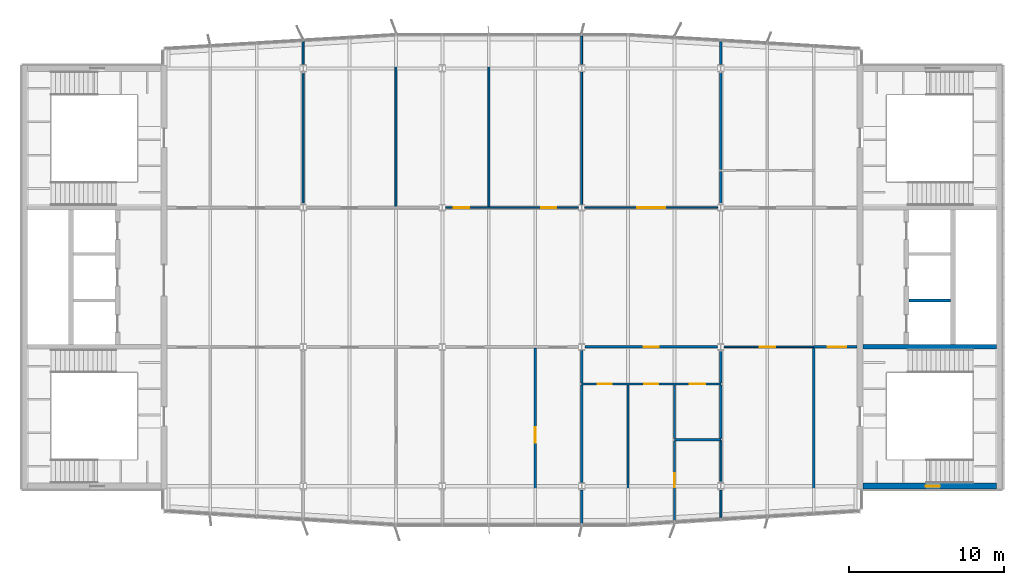
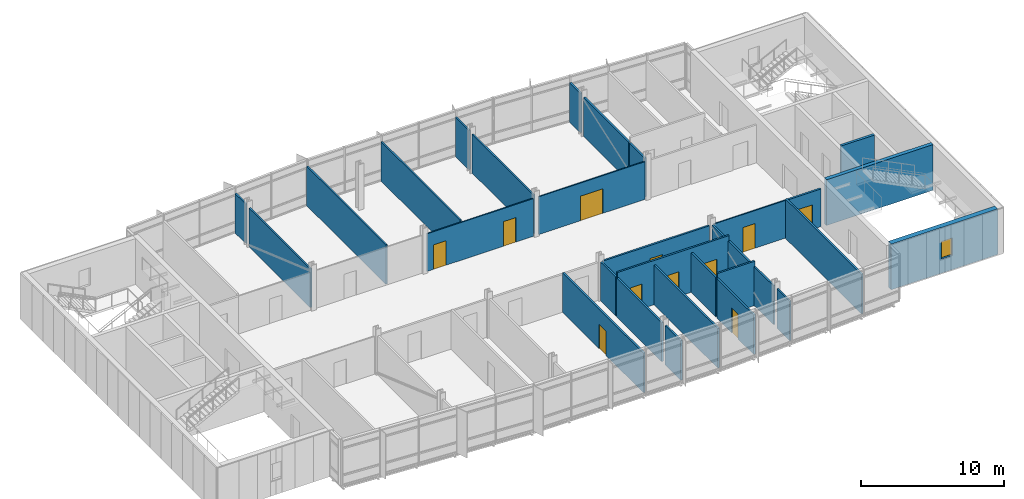
# One storey, part 12 of 17: 31 walls, 11 doors, 1 window, 12 openings.
"""IFC4 building model written with IfcOpenShell, lengths in metres."""

from ifc_helpers import new_model, si_unit, direction, frame, frame_2d, origin, place, context, subcontext, project, spatial, rectangle, extrude, material, layer, layer_set, type_object, element, fill, save


model = new_model("IFC4")

# Units and contexts
model_context = context("Model", 3, precision=1e-05, world=origin(), true_north=direction((0.0, 1.0)))
body_context = subcontext(model_context, "Body", "Model", "MODEL_VIEW")
ifc_project = project(units=[si_unit("LENGTHUNIT", "METRE"), si_unit("AREAUNIT", "SQUARE_METRE"), si_unit("VOLUMEUNIT", "CUBIC_METRE"), si_unit("PLANEANGLEUNIT", "RADIAN"), si_unit("MASSUNIT", "GRAM", prefix="KILO")], contexts=[model_context])

# Site, building, storey
site_placement = place(None, origin())
site = spatial("IfcSite", under=ifc_project, at=site_placement, CompositionType="ELEMENT")
building_placement = place(site_placement, origin())
building = spatial("IfcBuilding", under=site, at=building_placement, Name="Azimuth Sports and Learning Centre", CompositionType="ELEMENT")
storey_placement = place(building_placement, frame((0.0, 0.0, 36.300048828125)))
storey = spatial("IfcBuildingStorey", under=building, at=storey_placement, Name="L07", CompositionType="ELEMENT", Elevation=36.300048828125)

# Wall
ifc_material_1 = material(Name="Dense masonry blockwork", Category="masonry")
ifc_layer_1 = layer(ifc_material_1, 0.199951171875)
ifc_layer_set_1 = layer_set([ifc_layer_1], Name="Dense masonry blockwork")
wall_type_1 = type_object("IfcWallType", Name="Blockwork wall 200 EI 120", PredefinedType="SOLIDWALL", material=ifc_layer_set_1)
wall_1_placement = place(storey_placement, frame((111.14990234375, 102.0, 0.0), z_axis=(0.0, 0.0, 1.0), x_axis=(1.0, 0.0, 0.0)))
element("IfcWall", 1, at=wall_1_placement, inside=storey, type_object=wall_type_1, Name="SD-E-1-L07", PredefinedType="SOLIDWALL", context=body_context, shape_type="SweptSolid", body=[
    extrude(rectangle(XDim=2.7001953125, YDim=0.199951171875, at=frame_2d((1.35009765625, 0.0))), origin(), (0.0, 0.0, 1.0), 3.89990234375),
])

# Wall, opening, door
ifc_material_2 = material(Name="Gypsum board on steel studs", Category="steel")
ifc_layer_2 = layer(ifc_material_2, 0.10009765625)
ifc_layer_set_2 = layer_set([ifc_layer_2], Name="Gypsum board on steel studs")
wall_type_2 = type_object("IfcWallType", Name="Partition 100 EI 30", PredefinedType="PARTITIONING", material=ifc_layer_set_2)
wall_2_placement = place(storey_placement, frame((99.2060546875, 99.0, 0.0), z_axis=(0.0, 0.0, 1.0), x_axis=(1.0, 0.0, 0.0)))
wall_2 = element("IfcWall", 2, at=wall_2_placement, inside=storey, type_object=wall_type_2, Name="Partition Classroom 07.17 / Learning Street", PredefinedType="PARTITIONING", context=body_context, shape_type="SweptSolid", body=[
    extrude(rectangle(XDim=5.7939453125, YDim=0.10009765625, at=frame_2d((2.89697265625, 0.0))), origin(), (0.0, 0.0, 1.0), 3.219970703125),
])
opening_1_placement = place(wall_2_placement, frame((2.2939453125, 0.0, 0.0)))
opening_1 = element("IfcOpeningElement", 3, at=opening_1_placement, cuts=wall_2, Name="Opening D07-021", PredefinedType="OPENING", context=body_context, shape_type="SweptSolid", body=[
    extrude(rectangle(XDim=1.0, YDim=2.10009765625, at=frame_2d((0.5, 1.050048828125))), frame((0.0, 0.06103515625, 0.0), z_axis=(0.0, -1.0, 0.0), x_axis=(1.0, 0.0, 0.0)), (0.0, 0.0, 1.0), 0.1220703125),
])
ifc_material_3 = material(Name="Painted steel door set", Category="steel")
door_type_1 = type_object("IfcDoorType", Name="Fire door FD30S 1000 x 2100", OperationType="NOTDEFINED", PredefinedType="DOOR", material=ifc_material_3)
door_1_placement = place(opening_1_placement, frame((1.0, 0.0, 0.0), z_axis=(0.0, 0.0, 1.0), x_axis=(-1.0, 0.0, 0.0)))
door_1 = element("IfcDoor", 4, at=door_1_placement, inside=storey, type_object=door_type_1, Name="Door Classroom 07.17 / Learning Street", OperationType="SINGLE_SWING_RIGHT", OverallHeight=2.10009765625, OverallWidth=1.0, PredefinedType="DOOR", context=body_context, shape_type="SweptSolid", body=[
    extrude(rectangle(XDim=1.0, YDim=2.10009765625, at=frame_2d((0.5, 1.050048828125))), frame((0.0, 0.02490234375, 0.0), z_axis=(0.0, -1.0, 0.0), x_axis=(1.0, 0.0, 0.0)), (0.0, 0.0, 1.0), 0.050048828125),
])
fill(opening_1, door_1)

# Wall, openings, doors
wall_3_placement = place(storey_placement, frame((81.2060546875, 108.0, 0.0), z_axis=(0.0, 0.0, 1.0), x_axis=(1.0, 0.0, 0.0)))
wall_3 = element("IfcWall", 5, at=wall_3_placement, inside=storey, type_object=wall_type_2, Name="Partition Classroom 07.18 / Classroom 07.19", PredefinedType="PARTITIONING", context=body_context, shape_type="SweptSolid", body=[
    extrude(rectangle(XDim=8.587890625, YDim=0.10009765625, at=frame_2d((4.2939453125, 0.0))), origin(), (0.0, 0.0, 1.0), 3.219970703125),
])
opening_2_placement = place(wall_3_placement, frame((0.5439453125, 0.0, 0.0)))
opening_2 = element("IfcOpeningElement", 6, at=opening_2_placement, cuts=wall_3, Name="Opening D07-024", PredefinedType="OPENING", context=body_context, shape_type="SweptSolid", body=[
    extrude(rectangle(XDim=1.0, YDim=2.10009765625, at=frame_2d((0.5, 1.050048828125))), frame((0.0, 0.06103515625, 0.0), z_axis=(0.0, -1.0, 0.0), x_axis=(1.0, 0.0, 0.0)), (0.0, 0.0, 1.0), 0.1220703125),
])
opening_3_placement = place(wall_3_placement, frame((6.1689453125, 0.0, 0.0)))
opening_3 = element("IfcOpeningElement", 7, at=opening_3_placement, cuts=wall_3, Name="Opening D07-025", PredefinedType="OPENING", context=body_context, shape_type="SweptSolid", body=[
    extrude(rectangle(XDim=1.0, YDim=2.10009765625, at=frame_2d((0.5, 1.050048828125))), frame((0.0, 0.06103515625, 0.0), z_axis=(0.0, -1.0, 0.0), x_axis=(1.0, 0.0, 0.0)), (0.0, 0.0, 1.0), 0.1220703125),
])
door_2_placement = place(opening_2_placement, origin())
door_2 = element("IfcDoor", 8, at=door_2_placement, inside=storey, type_object=door_type_1, Name="Door Classroom 07.20 / Learning Street", OperationType="SINGLE_SWING_LEFT", OverallHeight=2.10009765625, OverallWidth=1.0, PredefinedType="DOOR", context=body_context, shape_type="SweptSolid", body=[
    extrude(rectangle(XDim=1.0, YDim=2.10009765625, at=frame_2d((0.5, 1.050048828125))), frame((0.0, 0.02490234375, 0.0), z_axis=(0.0, -1.0, 0.0), x_axis=(1.0, 0.0, 0.0)), (0.0, 0.0, 1.0), 0.050048828125),
])
fill(opening_2, door_2)
door_3_placement = place(opening_3_placement, origin())
door_3 = element("IfcDoor", 9, at=door_3_placement, inside=storey, type_object=door_type_1, Name="Door Classroom 07.21 / Learning Street", OperationType="SINGLE_SWING_RIGHT", OverallHeight=2.10009765625, OverallWidth=1.0, PredefinedType="DOOR", context=body_context, shape_type="SweptSolid", body=[
    extrude(rectangle(XDim=1.0, YDim=2.10009765625, at=frame_2d((0.5, 1.050048828125))), frame((0.0, 0.02490234375, 0.0), z_axis=(0.0, -1.0, 0.0), x_axis=(1.0, 0.0, 0.0)), (0.0, 0.0, 1.0), 0.050048828125),
])
fill(opening_3, door_3)

# Wall, opening, door
wall_4_placement = place(storey_placement, frame((90.2060546875, 108.0, 0.0), z_axis=(0.0, 0.0, 1.0), x_axis=(1.0, 0.0, 0.0)))
wall_4 = element("IfcWall", 10, at=wall_4_placement, inside=storey, type_object=wall_type_2, Name="Partition Classroom 07.18 / Classroom 07.19", PredefinedType="PARTITIONING", context=body_context, shape_type="SweptSolid", body=[
    extrude(rectangle(XDim=8.587890625, YDim=0.10009765625, at=frame_2d((4.2939453125, 0.0))), origin(), (0.0, 0.0, 1.0), 3.219970703125),
])
opening_4_placement = place(wall_4_placement, frame((3.39404296875, 0.0, 0.0)))
opening_4 = element("IfcOpeningElement", 11, at=opening_4_placement, cuts=wall_4, Name="Opening D07-026", PredefinedType="OPENING", context=body_context, shape_type="SweptSolid", body=[
    extrude(rectangle(XDim=1.800048828125, YDim=2.10009765625, at=frame_2d((0.89990234375, 1.050048828125))), frame((0.0, 0.06103515625, 0.0), z_axis=(0.0, -1.0, 0.0), x_axis=(1.0, 0.0, 0.0)), (0.0, 0.0, 1.0), 0.1220703125),
])
ifc_material_4 = material(Name="Painted steel door set", Category="steel")
door_type_2 = type_object("IfcDoorType", Name="Fire door FD30S 1800 x 2100 double leaf", OperationType="DOUBLE_DOOR_SINGLE_SWING", PredefinedType="DOOR", material=ifc_material_4)
door_4_placement = place(opening_4_placement, origin())
door_4 = element("IfcDoor", 12, at=door_4_placement, inside=storey, type_object=door_type_2, Name="Door Seminar Room 07.22 / Learning Street", OperationType="DOUBLE_DOOR_SINGLE_SWING", OverallHeight=2.10009765625, OverallWidth=1.800048828125, PredefinedType="DOOR", context=body_context, shape_type="SweptSolid", body=[
    extrude(rectangle(XDim=1.800048828125, YDim=2.10009765625, at=frame_2d((0.89990234375, 1.050048828125))), frame((0.0, 0.02490234375, 0.0), z_axis=(0.0, -1.0, 0.0), x_axis=(1.0, 0.0, 0.0)), (0.0, 0.0, 1.0), 0.050048828125),
])
fill(opening_4, door_4)

# Walls
ifc_material_5 = material(Name="Gypsum board on steel studs, acoustic", Category="steel")
ifc_layer_3 = layer(ifc_material_5, 0.125)
ifc_layer_set_3 = layer_set([ifc_layer_3], Name="Gypsum board on steel studs, acoustic")
wall_type_3 = type_object("IfcWallType", Name="Partition 125 EI 60", PredefinedType="PARTITIONING", material=ifc_layer_set_3)
wall_5_placement = place(storey_placement, frame((72.0, 108.217529296875, 0.0), z_axis=(0.0, 0.0, 1.0), x_axis=(0.0, 1.0, 0.0)))
element("IfcWall", 13, at=wall_5_placement, inside=storey, type_object=wall_type_3, Name="Partition Classroom 07.18 / Classroom 07.19", PredefinedType="PARTITIONING", context=body_context, shape_type="SweptSolid", body=[
    extrude(rectangle(XDim=8.54541015625, YDim=0.125, at=frame_2d((4.272705078125, 0.0))), origin(), (0.0, 0.0, 1.0), 3.320068359375),
])
wall_6_placement = place(storey_placement, frame((72.0, 117.237060546875, 0.0), z_axis=(0.0, 0.0, 1.0), x_axis=(0.0, 1.0, 0.0)))
element("IfcWall", 14, at=wall_6_placement, inside=storey, type_object=wall_type_3, Name="Partition Classroom 07.18 / Classroom 07.19", PredefinedType="PARTITIONING", context=body_context, shape_type="SweptSolid", body=[
    extrude(rectangle(XDim=1.5029296875, YDim=0.125, at=frame_2d((0.75146484375, 0.0))), origin(), (0.0, 0.0, 1.0), 3.369873046875),
])
for number, where, z_axis, x_axis, name in (
    (15, (78.0, 108.050048828125, 0.0), (0.0, 0.0, 1.0), (0.0, 1.0, 0.0), "Partition Classroom 07.19 / Classroom 07.20"),
    (16, (84.0, 108.050048828125, 0.0), (0.0, 0.0, 1.0), (0.0, 1.0, 0.0), "Partition Classroom 07.20 / Classroom 07.21"),
):
    element("IfcWall", number, at=place(storey_placement, frame(where, z_axis=z_axis, x_axis=x_axis)), inside=storey, type_object=wall_type_3, Name=name, PredefinedType="PARTITIONING", context=body_context, shape_type="SweptSolid", body=[
        extrude(rectangle(XDim=11.050048828125, YDim=0.125, at=frame_2d((5.52490234375, 0.0))), origin(), (0.0, 0.0, 1.0), 3.369873046875),
    ])
wall_7_placement = place(storey_placement, frame((90.0, 108.217529296875, 0.0), z_axis=(0.0, 0.0, 1.0), x_axis=(0.0, 1.0, 0.0)))
element("IfcWall", 17, at=wall_7_placement, inside=storey, type_object=wall_type_3, Name="Partition Classroom 07.21 / Seminar Room 07.22", PredefinedType="PARTITIONING", context=body_context, shape_type="SweptSolid", body=[
    extrude(rectangle(XDim=8.54541015625, YDim=0.125, at=frame_2d((4.272705078125, 0.0))), origin(), (0.0, 0.0, 1.0), 3.320068359375),
])
wall_8_placement = place(storey_placement, frame((90.0, 117.237060546875, 0.0), z_axis=(0.0, 0.0, 1.0), x_axis=(0.0, 1.0, 0.0)))
element("IfcWall", 18, at=wall_8_placement, inside=storey, type_object=wall_type_3, Name="Partition Classroom 07.21 / Seminar Room 07.22", PredefinedType="PARTITIONING", context=body_context, shape_type="SweptSolid", body=[
    extrude(rectangle(XDim=1.863037109375, YDim=0.125, at=frame_2d((0.931640625, 0.0))), origin(), (0.0, 0.0, 1.0), 3.369873046875),
])
wall_9_placement = place(storey_placement, frame((99.0, 87.9599609375, 0.0), z_axis=(0.0, 0.0, 1.0), x_axis=(0.0, 1.0, 0.0)))
element("IfcWall", 19, at=wall_9_placement, inside=storey, type_object=wall_type_3, Name="Partition Cleaner Store 07.16 / Classroom 07.17", PredefinedType="PARTITIONING", context=body_context, shape_type="SweptSolid", body=[
    extrude(rectangle(XDim=1.802978515625, YDim=0.125, at=frame_2d((0.9013671875, 0.0))), origin(), (0.0, 0.0, 1.0), 3.369873046875),
])
wall_10_placement = place(storey_placement, frame((99.0, 90.237060546875, 0.0), z_axis=(0.0, 0.0, 1.0), x_axis=(0.0, 1.0, 0.0)))
element("IfcWall", 20, at=wall_10_placement, inside=storey, type_object=wall_type_3, Name="Partition Cleaner Store 07.16 / Classroom 07.17", PredefinedType="PARTITIONING", context=body_context, shape_type="SweptSolid", body=[
    extrude(rectangle(XDim=2.68798828125, YDim=0.125, at=frame_2d((1.343994140625, 0.0))), origin(), (0.0, 0.0, 1.0), 3.320068359375),
])
ifc_material_6 = material(Name="Lightweight blockwork, rendered", Category="masonry")
ifc_layer_4 = layer(ifc_material_6, 0.14990234375)
ifc_layer_set_4 = layer_set([ifc_layer_4], Name="Lightweight blockwork, rendered")
wall_type_4 = type_object("IfcWallType", Name="Partition 150 EI 60", PredefinedType="PARTITIONING", material=ifc_layer_set_4)
wall_11_placement = place(storey_placement, frame((96.0, 93.0, 0.0), z_axis=(0.0, 0.0, 1.0), x_axis=(1.0, 0.0, 0.0)))
element("IfcWall", 21, at=wall_11_placement, inside=storey, type_object=wall_type_4, Name="Partition Accessible WC 07.15 / Cleaner Store 07.16", PredefinedType="PARTITIONING", context=body_context, shape_type="SweptSolid", body=[
    extrude(rectangle(XDim=3.0, YDim=0.14990234375, at=frame_2d((1.5, 0.0))), origin(), (0.0, 0.0, 1.0), 3.77001953125),
])

# Wall, openings, doors
wall_12_placement = place(storey_placement, frame((90.0, 96.60009765625, 0.0), z_axis=(0.0, 0.0, 1.0), x_axis=(1.0, 0.0, 0.0)))
wall_12 = element("IfcWall", 22, at=wall_12_placement, inside=storey, type_object=wall_type_4, Name="Partition WC Lobby 07.12 / Men WC 07.13", PredefinedType="PARTITIONING", context=body_context, shape_type="SweptSolid", body=[
    extrude(rectangle(XDim=9.0, YDim=0.14990234375, at=frame_2d((4.5, 0.0))), origin(), (0.0, 0.0, 1.0), 3.77001953125),
])
opening_5_placement = place(wall_12_placement, frame((1.050048828125, 0.0, 0.0)))
opening_5 = element("IfcOpeningElement", 23, at=opening_5_placement, cuts=wall_12, Name="Opening D07-030", PredefinedType="OPENING", context=body_context, shape_type="SweptSolid", body=[
    extrude(rectangle(XDim=0.89990234375, YDim=2.10009765625, at=frame_2d((0.449951171875, 1.050048828125))), frame((0.0, 0.0859375, 0.0), z_axis=(0.0, -1.0, 0.0), x_axis=(1.0, 0.0, 0.0)), (0.0, 0.0, 1.0), 0.171875),
])
opening_6_placement = place(wall_12_placement, frame((4.050048828125, 0.0, 0.0)))
opening_6 = element("IfcOpeningElement", 24, at=opening_6_placement, cuts=wall_12, Name="Opening D07-031", PredefinedType="OPENING", context=body_context, shape_type="SweptSolid", body=[
    extrude(rectangle(XDim=0.89990234375, YDim=2.10009765625, at=frame_2d((0.449951171875, 1.050048828125))), frame((0.0, 0.0859375, 0.0), z_axis=(0.0, -1.0, 0.0), x_axis=(1.0, 0.0, 0.0)), (0.0, 0.0, 1.0), 0.171875),
])
opening_7_placement = place(wall_12_placement, frame((7.0, 0.0, 0.0)))
opening_7 = element("IfcOpeningElement", 25, at=opening_7_placement, cuts=wall_12, Name="Opening D07-032", PredefinedType="OPENING", context=body_context, shape_type="SweptSolid", body=[
    extrude(rectangle(XDim=1.0, YDim=2.10009765625, at=frame_2d((0.5, 1.050048828125))), frame((0.0, 0.0859375, 0.0), z_axis=(0.0, -1.0, 0.0), x_axis=(1.0, 0.0, 0.0)), (0.0, 0.0, 1.0), 0.171875),
])
ifc_material_7 = material(Name="Painted steel door set", Category="steel")
door_type_3 = type_object("IfcDoorType", Name="Fire door FD60 1000 x 2100", OperationType="NOTDEFINED", PredefinedType="DOOR", material=ifc_material_7)
door_5_placement = place(opening_7_placement, frame((1.0, 0.0, 0.0), z_axis=(0.0, 0.0, 1.0), x_axis=(-1.0, 0.0, 0.0)))
door_5 = element("IfcDoor", 26, at=door_5_placement, inside=storey, type_object=door_type_3, Name="Door WC Lobby 07.12 / Accessible WC 07.15", OperationType="SINGLE_SWING_RIGHT", OverallHeight=2.10009765625, OverallWidth=1.0, PredefinedType="DOOR", context=body_context, shape_type="SweptSolid", body=[
    extrude(rectangle(XDim=1.0, YDim=2.10009765625, at=frame_2d((0.5, 1.050048828125))), frame((0.0, 0.02490234375, 0.0), z_axis=(0.0, -1.0, 0.0), x_axis=(1.0, 0.0, 0.0)), (0.0, 0.0, 1.0), 0.050048828125),
])
fill(opening_7, door_5)
ifc_material_8 = material(Name="Painted steel door set", Category="steel")
door_type_4 = type_object("IfcDoorType", Name="Fire door FD60 900 x 2100", OperationType="NOTDEFINED", PredefinedType="DOOR", material=ifc_material_8)
door_6_placement = place(opening_5_placement, origin())
door_6 = element("IfcDoor", 27, at=door_6_placement, inside=storey, type_object=door_type_4, Name="Door WC Lobby 07.12 / Men WC 07.13", OperationType="SINGLE_SWING_LEFT", OverallHeight=2.10009765625, OverallWidth=0.89990234375, PredefinedType="DOOR", context=body_context, shape_type="SweptSolid", body=[
    extrude(rectangle(XDim=0.89990234375, YDim=2.10009765625, at=frame_2d((0.449951171875, 1.050048828125))), frame((0.0, 0.02490234375, 0.0), z_axis=(0.0, -1.0, 0.0), x_axis=(1.0, 0.0, 0.0)), (0.0, 0.0, 1.0), 0.050048828125),
])
fill(opening_5, door_6)
door_7_placement = place(opening_6_placement, origin())
door_7 = element("IfcDoor", 28, at=door_7_placement, inside=storey, type_object=door_type_4, Name="Door WC Lobby 07.12 / Women WC 07.14", OperationType="SINGLE_SWING_LEFT", OverallHeight=2.10009765625, OverallWidth=0.89990234375, PredefinedType="DOOR", context=body_context, shape_type="SweptSolid", body=[
    extrude(rectangle(XDim=0.89990234375, YDim=2.10009765625, at=frame_2d((0.449951171875, 1.050048828125))), frame((0.0, 0.02490234375, 0.0), z_axis=(0.0, -1.0, 0.0), x_axis=(1.0, 0.0, 0.0)), (0.0, 0.0, 1.0), 0.050048828125),
])
fill(opening_6, door_7)

# Wall, opening, door
wall_13_placement = place(storey_placement, frame((90.2060546875, 99.0, 0.0), z_axis=(0.0, 0.0, 1.0), x_axis=(1.0, 0.0, 0.0)))
wall_13 = element("IfcWall", 29, at=wall_13_placement, inside=storey, type_object=wall_type_4, Name="Partition Science Laboratory 07.08 / Preparation Room 07.09", PredefinedType="PARTITIONING", context=body_context, shape_type="SweptSolid", body=[
    extrude(rectangle(XDim=8.587890625, YDim=0.14990234375, at=frame_2d((4.2939453125, 0.0))), origin(), (0.0, 0.0, 1.0), 3.219970703125),
])
opening_8_placement = place(wall_13_placement, frame((3.7939453125, 0.0, 0.0)))
opening_8 = element("IfcOpeningElement", 30, at=opening_8_placement, cuts=wall_13, Name="Opening D07-020", PredefinedType="OPENING", context=body_context, shape_type="SweptSolid", body=[
    extrude(rectangle(XDim=1.0, YDim=2.10009765625, at=frame_2d((0.5, 1.050048828125))), frame((0.0, 0.0859375, 0.0), z_axis=(0.0, -1.0, 0.0), x_axis=(1.0, 0.0, 0.0)), (0.0, 0.0, 1.0), 0.171875),
])
door_8_placement = place(opening_8_placement, frame((1.0, 0.0, 0.0), z_axis=(0.0, 0.0, 1.0), x_axis=(-1.0, 0.0, 0.0)))
door_8 = element("IfcDoor", 31, at=door_8_placement, inside=storey, type_object=door_type_3, Name="Door WC Lobby 07.12 / Learning Street", OperationType="SINGLE_SWING_LEFT", OverallHeight=2.10009765625, OverallWidth=1.0, PredefinedType="DOOR", context=body_context, shape_type="SweptSolid", body=[
    extrude(rectangle(XDim=1.0, YDim=2.10009765625, at=frame_2d((0.5, 1.050048828125))), frame((0.0, 0.02490234375, 0.0), z_axis=(0.0, -1.0, 0.0), x_axis=(1.0, 0.0, 0.0)), (0.0, 0.0, 1.0), 0.050048828125),
])
fill(opening_8, door_8)

wall_14_placement = place(storey_placement, frame((105.0, 99.0, 0.0), z_axis=(0.0, 0.0, 1.0), x_axis=(1.0, 0.0, 0.0)))
wall_14 = element("IfcWall", 32, at=wall_14_placement, inside=storey, type_object=wall_type_4, Name="Partition Stair Lobby E1 07.03 / Learning Street", PredefinedType="PARTITIONING", context=body_context, shape_type="SweptSolid", body=[
    extrude(rectangle(XDim=2.800048828125, YDim=0.14990234375, at=frame_2d((1.39990234375, 0.0))), origin(), (0.0, 0.0, 1.0), 3.219970703125),
])
opening_9_placement = place(wall_14_placement, frame((0.89990234375, 0.0, 0.0)))
opening_9 = element("IfcOpeningElement", 33, at=opening_9_placement, cuts=wall_14, Name="Opening D07-013", PredefinedType="OPENING", context=body_context, shape_type="SweptSolid", body=[
    extrude(rectangle(XDim=1.199951171875, YDim=2.10009765625, at=frame_2d((0.60009765625, 1.050048828125))), frame((0.0, 0.0859375, 0.0), z_axis=(0.0, -1.0, 0.0), x_axis=(1.0, 0.0, 0.0)), (0.0, 0.0, 1.0), 0.171875),
])
ifc_material_9 = material(Name="Painted steel door set", Category="steel")
door_type_5 = type_object("IfcDoorType", Name="Fire door FD60 1200 x 2100", OperationType="NOTDEFINED", PredefinedType="DOOR", material=ifc_material_9)
door_9_placement = place(opening_9_placement, frame((1.199951171875, 0.0, 0.0), z_axis=(0.0, 0.0, 1.0), x_axis=(-1.0, 0.0, 0.0)))
door_9 = element("IfcDoor", 34, at=door_9_placement, inside=storey, type_object=door_type_5, Name="Door Stair Lobby E1 07.03 / Learning Street", OperationType="SINGLE_SWING_LEFT", OverallHeight=2.10009765625, OverallWidth=1.199951171875, PredefinedType="DOOR", context=body_context, shape_type="SweptSolid", body=[
    extrude(rectangle(XDim=1.199951171875, YDim=2.10009765625, at=frame_2d((0.60009765625, 1.050048828125))), frame((0.0, 0.02490234375, 0.0), z_axis=(0.0, -1.0, 0.0), x_axis=(1.0, 0.0, 0.0)), (0.0, 0.0, 1.0), 0.050048828125),
])
fill(opening_9, door_9)

wall_15_placement = place(storey_placement, frame((87.0, 87.60009765625, 0.0), z_axis=(0.0, 0.0, 1.0), x_axis=(0.0, 1.0, 0.0)))
wall_15 = element("IfcWall", 35, at=wall_15_placement, inside=storey, type_object=wall_type_4, Name="Partition Science Laboratory 07.10 / Preparation Room 07.11", PredefinedType="PARTITIONING", context=body_context, shape_type="SweptSolid", body=[
    extrude(rectangle(XDim=11.324951171875, YDim=0.14990234375, at=frame_2d((5.66259765625, 0.0))), origin(), (0.0, 0.0, 1.0), 3.369873046875),
])
opening_10_placement = place(wall_15_placement, frame((5.199951171875, 0.0, 0.0)))
opening_10 = element("IfcOpeningElement", 36, at=opening_10_placement, cuts=wall_15, Name="Opening D07-029", PredefinedType="OPENING", context=body_context, shape_type="SweptSolid", body=[
    extrude(rectangle(XDim=1.0, YDim=2.10009765625, at=frame_2d((0.5, 1.050048828125))), frame((0.0, 0.0859375, 0.0), z_axis=(0.0, -1.0, 0.0), x_axis=(1.0, 0.0, 0.0)), (0.0, 0.0, 1.0), 0.171875),
])
door_10_placement = place(opening_10_placement, frame((1.0, 0.0, 0.0), z_axis=(0.0, 0.0, 1.0), x_axis=(-1.0, 0.0, 0.0)))
door_10 = element("IfcDoor", 37, at=door_10_placement, inside=storey, type_object=door_type_3, Name="Door Science Laboratory 07.10 / Preparation Room 07.11", OperationType="SINGLE_SWING_LEFT", OverallHeight=2.10009765625, OverallWidth=1.0, PredefinedType="DOOR", context=body_context, shape_type="SweptSolid", body=[
    extrude(rectangle(XDim=1.0, YDim=2.10009765625, at=frame_2d((0.5, 1.050048828125))), frame((0.0, 0.02490234375, 0.0), z_axis=(0.0, -1.0, 0.0), x_axis=(1.0, 0.0, 0.0)), (0.0, 0.0, 1.0), 0.050048828125),
])
fill(opening_10, door_10)

# Walls
wall_16_placement = place(storey_placement, frame((90.0, 87.60009765625, 0.0), z_axis=(0.0, 0.0, 1.0), x_axis=(0.0, 1.0, 0.0)))
element("IfcWall", 38, at=wall_16_placement, inside=storey, type_object=wall_type_4, Name="Partition Preparation Room 07.11 / WC Lobby 07.12", PredefinedType="PARTITIONING", context=body_context, shape_type="SweptSolid", body=[
    extrude(rectangle(XDim=2.162841796875, YDim=0.14990234375, at=frame_2d((1.08154296875, 0.0))), origin(), (0.0, 0.0, 1.0), 3.369873046875),
])
wall_17_placement = place(storey_placement, frame((90.0, 90.237060546875, 0.0), z_axis=(0.0, 0.0, 1.0), x_axis=(0.0, 1.0, 0.0)))
element("IfcWall", 39, at=wall_17_placement, inside=storey, type_object=wall_type_4, Name="Partition Preparation Room 07.11 / WC Lobby 07.12", PredefinedType="PARTITIONING", context=body_context, shape_type="SweptSolid", body=[
    extrude(rectangle(XDim=6.287841796875, YDim=0.14990234375, at=frame_2d((3.14404296875, 0.0))), origin(), (0.0, 0.0, 1.0), 3.320068359375),
])
wall_18_placement = place(storey_placement, frame((90.0, 96.675048828125, 0.0), z_axis=(0.0, 0.0, 1.0), x_axis=(0.0, 1.0, 0.0)))
element("IfcWall", 40, at=wall_18_placement, inside=storey, type_object=wall_type_4, Name="Partition Preparation Room 07.11 / WC Lobby 07.12", PredefinedType="PARTITIONING", context=body_context, shape_type="SweptSolid", body=[
    extrude(rectangle(XDim=2.107421875, YDim=0.14990234375, at=frame_2d((1.0537109375, 0.0))), origin(), (0.0, 0.0, 1.0), 3.320068359375),
])
wall_19_placement = place(storey_placement, frame((93.0, 87.60009765625, 0.0), z_axis=(0.0, 0.0, 1.0), x_axis=(0.0, 1.0, 0.0)))
element("IfcWall", 41, at=wall_19_placement, inside=storey, type_object=wall_type_4, Name="Partition Men WC 07.13 / Women WC 07.14", PredefinedType="PARTITIONING", context=body_context, shape_type="SweptSolid", body=[
    extrude(rectangle(XDim=8.9248046875, YDim=0.14990234375, at=frame_2d((4.46240234375, 0.0))), origin(), (0.0, 0.0, 1.0), 3.369873046875),
])

# Wall, opening, door
wall_20_placement = place(storey_placement, frame((96.0, 87.780029296875, 0.0), z_axis=(0.0, 0.0, 1.0), x_axis=(0.0, 1.0, 0.0)))
wall_20 = element("IfcWall", 42, at=wall_20_placement, inside=storey, type_object=wall_type_4, Name="Partition Women WC 07.14 / Accessible WC 07.15", PredefinedType="PARTITIONING", context=body_context, shape_type="SweptSolid", body=[
    extrude(rectangle(XDim=5.14501953125, YDim=0.14990234375, at=frame_2d((2.572509765625, 0.0))), origin(), (0.0, 0.0, 1.0), 3.369873046875),
])
opening_11_placement = place(wall_20_placement, frame((2.159912109375, 0.0, 0.0)))
opening_11 = element("IfcOpeningElement", 43, at=opening_11_placement, cuts=wall_20, Name="Opening D07-033", PredefinedType="OPENING", context=body_context, shape_type="SweptSolid", body=[
    extrude(rectangle(XDim=0.89990234375, YDim=2.10009765625, at=frame_2d((0.449951171875, 1.050048828125))), frame((0.0, 0.0859375, 0.0), z_axis=(0.0, -1.0, 0.0), x_axis=(1.0, 0.0, 0.0)), (0.0, 0.0, 1.0), 0.171875),
])
door_11_placement = place(opening_11_placement, frame((0.89990234375, 0.0, 0.0), z_axis=(0.0, 0.0, 1.0), x_axis=(-1.0, 0.0, 0.0)))
door_11 = element("IfcDoor", 44, at=door_11_placement, inside=storey, type_object=door_type_4, Name="Door Women WC 07.14 / Cleaner Store 07.16", OperationType="SINGLE_SWING_LEFT", OverallHeight=2.10009765625, OverallWidth=0.89990234375, PredefinedType="DOOR", context=body_context, shape_type="SweptSolid", body=[
    extrude(rectangle(XDim=0.89990234375, YDim=2.10009765625, at=frame_2d((0.449951171875, 1.050048828125))), frame((0.0, 0.02490234375, 0.0), z_axis=(0.0, -1.0, 0.0), x_axis=(1.0, 0.0, 0.0)), (0.0, 0.0, 1.0), 0.050048828125),
])
fill(opening_11, door_11)

# Walls
wall_21_placement = place(storey_placement, frame((96.0, 93.074951171875, 0.0), z_axis=(0.0, 0.0, 1.0), x_axis=(0.0, 1.0, 0.0)))
element("IfcWall", 45, at=wall_21_placement, inside=storey, type_object=wall_type_4, Name="Partition Women WC 07.14 / Accessible WC 07.15", PredefinedType="PARTITIONING", context=body_context, shape_type="SweptSolid", body=[
    extrude(rectangle(XDim=3.449951171875, YDim=0.14990234375, at=frame_2d((1.72509765625, 0.0))), origin(), (0.0, 0.0, 1.0), 3.369873046875),
])
wall_22_placement = place(storey_placement, frame((99.0, 93.074951171875, 0.0), z_axis=(0.0, 0.0, 1.0), x_axis=(0.0, 1.0, 0.0)))
element("IfcWall", 46, at=wall_22_placement, inside=storey, type_object=wall_type_4, Name="Partition WC Lobby 07.12 / Accessible WC 07.15", PredefinedType="PARTITIONING", context=body_context, shape_type="SweptSolid", body=[
    extrude(rectangle(XDim=3.449951171875, YDim=0.14990234375, at=frame_2d((1.72509765625, 0.0))), origin(), (0.0, 0.0, 1.0), 3.320068359375),
])
for number, where, z_axis, x_axis, name in (
    (47, (99.0, 96.675048828125, 0.0), (0.0, 0.0, 1.0), (0.0, 1.0, 0.0), "Partition WC Lobby 07.12 / Accessible WC 07.15"),
    (48, (99.0, 108.217529296875, 0.0), (0.0, 0.0, 1.0), (0.0, 1.0, 0.0), "Partition Seminar Room 07.22 / WC Lobby 07.23"),
):
    element("IfcWall", number, at=place(storey_placement, frame(where, z_axis=z_axis, x_axis=x_axis)), inside=storey, type_object=wall_type_4, Name=name, PredefinedType="PARTITIONING", context=body_context, shape_type="SweptSolid", body=[
        extrude(rectangle(XDim=2.107421875, YDim=0.14990234375, at=frame_2d((1.0537109375, 0.0))), origin(), (0.0, 0.0, 1.0), 3.320068359375),
    ])
wall_23_placement = place(storey_placement, frame((99.0, 110.47509765625, 0.0), z_axis=(0.0, 0.0, 1.0), x_axis=(0.0, 1.0, 0.0)))
element("IfcWall", 49, at=wall_23_placement, inside=storey, type_object=wall_type_4, Name="Partition Seminar Room 07.22 / WC Lobby 07.23", PredefinedType="PARTITIONING", context=body_context, shape_type="SweptSolid", body=[
    extrude(rectangle(XDim=6.287841796875, YDim=0.14990234375, at=frame_2d((3.14404296875, 0.0))), origin(), (0.0, 0.0, 1.0), 3.320068359375),
])
wall_24_placement = place(storey_placement, frame((99.0, 117.237060546875, 0.0), z_axis=(0.0, 0.0, 1.0), x_axis=(0.0, 1.0, 0.0)))
element("IfcWall", 50, at=wall_24_placement, inside=storey, type_object=wall_type_4, Name="Partition Seminar Room 07.22 / WC Lobby 07.23", PredefinedType="PARTITIONING", context=body_context, shape_type="SweptSolid", body=[
    extrude(rectangle(XDim=1.5029296875, YDim=0.14990234375, at=frame_2d((0.75146484375, 0.0))), origin(), (0.0, 0.0, 1.0), 3.369873046875),
])
wall_25_placement = place(storey_placement, frame((105.0, 88.320068359375, 0.0), z_axis=(0.0, 0.0, 1.0), x_axis=(0.0, 1.0, 0.0)))
element("IfcWall", 51, at=wall_25_placement, inside=storey, type_object=wall_type_4, Name="Partition Stair Lobby E1 07.03 / Classroom 07.17", PredefinedType="PARTITIONING", context=body_context, shape_type="SweptSolid", body=[
    extrude(rectangle(XDim=10.60498046875, YDim=0.14990234375, at=frame_2d((5.302490234375, 0.0))), origin(), (0.0, 0.0, 1.0), 3.369873046875),
])
ifc_material_10 = material(Name="Concrete C40/50", Category="concrete")
ifc_layer_5 = layer(ifc_material_10, 0.300048828125)
ifc_layer_set_5 = layer_set([ifc_layer_5], Name="Concrete C40/50")
wall_type_5 = type_object("IfcWallType", Name="RC core wall 300", PredefinedType="SHEAR", material=ifc_layer_set_5)
wall_26_placement = place(storey_placement, frame((108.199951171875, 99.0, 0.0), z_axis=(0.0, 0.0, 1.0), x_axis=(1.0, 0.0, 0.0)))
element("IfcWall", 52, at=wall_26_placement, inside=storey, type_object=wall_type_5, Name="Core wall E D1 L07", PredefinedType="SHEAR", context=body_context, shape_type="SweptSolid", body=[
    extrude(rectangle(XDim=8.60009765625, YDim=0.300048828125, at=frame_2d((4.300048828125, 0.0))), origin(), (0.0, 0.0, 1.0), 3.89990234375),
])

# Wall, opening, window
ifc_material_11 = material(Name="Concrete C40/50", Category="concrete")
ifc_layer_6 = layer(ifc_material_11, 0.39990234375)
ifc_layer_set_6 = layer_set([ifc_layer_6], Name="Concrete C40/50")
wall_type_6 = type_object("IfcWallType", Name="RC external core wall 400", PredefinedType="SHEAR", material=ifc_layer_set_6)
wall_27_placement = place(storey_placement, frame((108.199951171875, 90.0, 0.0), z_axis=(0.0, 0.0, 1.0), x_axis=(1.0, 0.0, 0.0)))
wall_27 = element("IfcWall", 53, at=wall_27_placement, inside=storey, type_object=wall_type_6, Name="Core wall E S L07", PredefinedType="SHEAR", context=body_context, shape_type="SweptSolid", body=[
    extrude(rectangle(XDim=8.60009765625, YDim=0.39990234375, at=frame_2d((4.300048828125, 0.0))), origin(), (0.0, 0.0, 1.0), 3.89990234375),
])
opening_12_placement = place(wall_27_placement, frame((4.050048828125, 0.0, 1.199951171875)))
opening_12 = element("IfcOpeningElement", 54, at=opening_12_placement, cuts=wall_27, Name="Opening W07-002", PredefinedType="OPENING", context=body_context, shape_type="SweptSolid", body=[
    extrude(rectangle(XDim=0.89990234375, YDim=1.5, at=frame_2d((0.449951171875, 0.75))), frame((0.0, 0.2109375, 0.0), z_axis=(0.0, -1.0, 0.0), x_axis=(1.0, 0.0, 0.0)), (0.0, 0.0, 1.0), 0.421875),
])
ifc_material_12 = material(Name="Aluminium and glass", Category="aluminium")
window_type = type_object("IfcWindowType", Name="Stair window tower core 900x1500", PartitioningType="SINGLE_PANEL", PredefinedType="WINDOW", material=ifc_material_12)
window_placement = place(opening_12_placement, origin())
window = element("IfcWindow", 55, at=window_placement, inside=storey, type_object=window_type, Name="Window W07-002", OverallHeight=1.5, OverallWidth=0.89990234375, PartitioningType="SINGLE_PANEL", PredefinedType="WINDOW", context=body_context, shape_type="SweptSolid", body=[
    extrude(rectangle(XDim=0.89990234375, YDim=1.5, at=frame_2d((0.449951171875, 0.75))), frame((0.0, 0.030029296875, 0.0), z_axis=(0.0, -1.0, 0.0), x_axis=(1.0, 0.0, 0.0)), (0.0, 0.0, 1.0), 0.06005859375),
])
fill(opening_12, window)

save(model, "model.ifc")
